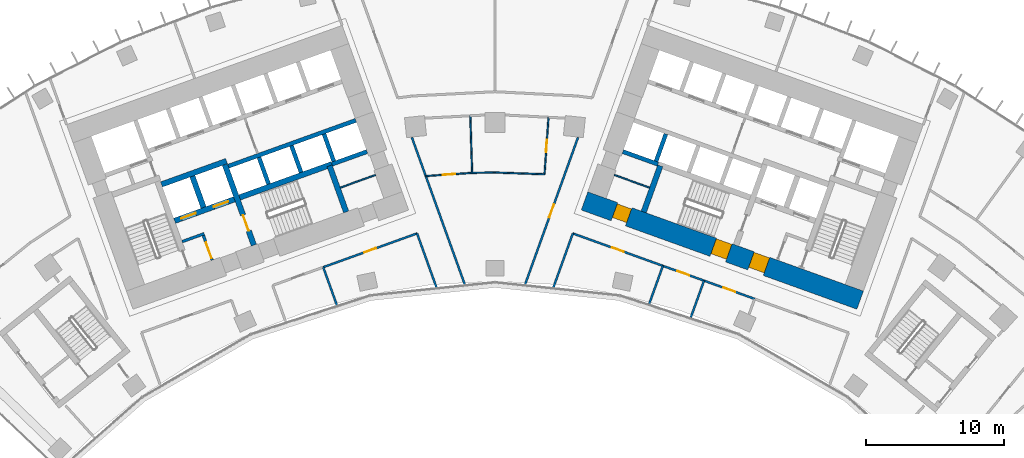
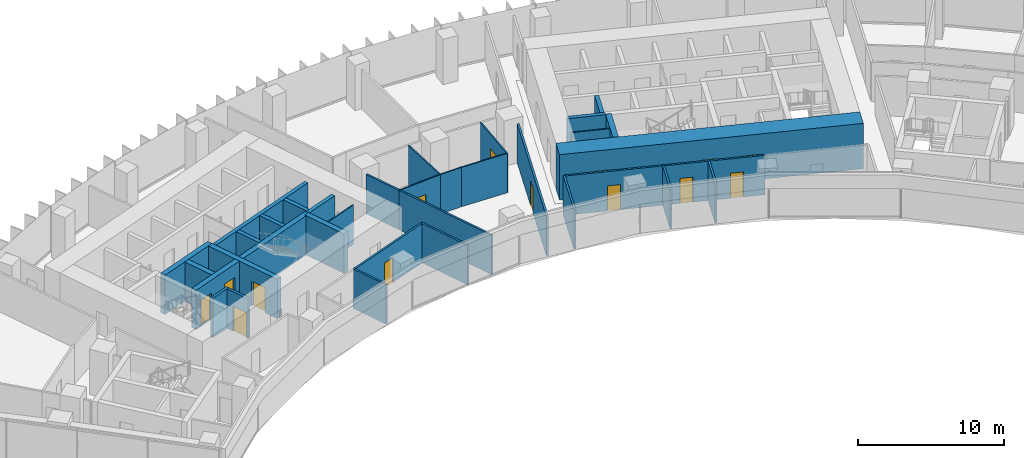
# One storey, part 16 of 22: 35 walls, 14 doors, 14 openings.
"""IFC4 building model written with IfcOpenShell, lengths in metres."""

from ifc_helpers import new_model, si_unit, direction, frame, frame_2d, origin, place, context, subcontext, project, spatial, rectangle, extrude, material, layer, layer_set, type_object, element, fill, save


model = new_model("IFC4")

# Units and contexts
model_context = context("Model", 3, precision=1e-05, world=origin(), true_north=direction((0.0, 1.0)))
body_context = subcontext(model_context, "Body", "Model", "MODEL_VIEW")
ifc_project = project(units=[si_unit("LENGTHUNIT", "METRE"), si_unit("AREAUNIT", "SQUARE_METRE"), si_unit("VOLUMEUNIT", "CUBIC_METRE"), si_unit("PLANEANGLEUNIT", "RADIAN"), si_unit("MASSUNIT", "GRAM", prefix="KILO")], contexts=[model_context])

# Site, building, storey
site_placement = place(None, origin())
site = spatial("IfcSite", under=ifc_project, at=site_placement, CompositionType="ELEMENT")
building_placement = place(site_placement, origin())
building = spatial("IfcBuilding", under=site, at=building_placement, Name="Stone Belt Terrace Tower", CompositionType="ELEMENT")
storey_placement = place(building_placement, frame((0.0, 0.0, 132.60009765625)))
storey = spatial("IfcBuildingStorey", under=building, at=storey_placement, Name="L32", CompositionType="ELEMENT", Elevation=132.60009765625)

# Walls
ifc_material_1 = material(Name="Plasterboard partition")
ifc_layer_1 = layer(ifc_material_1, 0.10009765625)
ifc_layer_set_1 = layer_set([ifc_layer_1], Name="Core partition 100")
wall_type_1 = type_object("IfcWallType", Name="Core partition 100", PredefinedType="PARTITIONING", material=ifc_layer_set_1)
for number, where, z_axis, x_axis, name in (
    (1, (-11.187744140625, 50.2822265625, 0.0), (0.0, 0.0, 1.0), (0.940949642365, 0.338546555931, 0.0), "Core A wall"),
    (2, (11.187744140625, 50.2822265625, 0.0), (0.0, 0.0, 1.0), (-0.940949642365, 0.338546555931, 0.0), "Core B wall"),
):
    element("IfcWall", number, at=place(storey_placement, frame(where, z_axis=z_axis, x_axis=x_axis)), inside=storey, type_object=wall_type_1, Name=name, PredefinedType="PARTITIONING", context=body_context, shape_type="SweptSolid", body=[
        extrude(rectangle(XDim=2.699951171875, YDim=0.10009765625, at=frame_2d((1.35009765625, 0.0))), origin(), (0.0, 0.0, 1.0), 3.2998046875),
    ])

# Wall, openings, doors
ifc_material_2 = material(Name="Concrete B80", Category="concrete")
ifc_layer_2 = layer(ifc_material_2, 1.39990234375)
ifc_layer_set_2 = layer_set([ifc_layer_2], Name="Core wall 1400 B80")
wall_type_2 = type_object("IfcWallType", Name="Core wall 1400 B80", PredefinedType="SHEAR", material=ifc_layer_set_2)
wall_1_placement = place(storey_placement, frame((6.4833984375, 49.318115234375, 0.0), z_axis=(0.0, 0.0, 1.0), x_axis=(0.940923374003, -0.33861955681, 0.0)))
wall_1 = element("IfcWall", 3, at=wall_1_placement, inside=storey, type_object=wall_type_2, Name="Core B wall concave L32", PredefinedType="SHEAR", context=body_context, shape_type="SweptSolid", body=[
    extrude(rectangle(XDim=21.199951171875, YDim=1.39990234375, at=frame_2d((10.60009765625, 0.0))), origin(), (0.0, 0.0, 1.0), 3.7998046875),
])
opening_1_placement = place(wall_1_placement, frame((12.800048828125, 0.0, 0.0)))
opening_1 = element("IfcOpeningElement", 4, at=opening_1_placement, cuts=wall_1, Name="Opening L32-C18", PredefinedType="OPENING", context=body_context, shape_type="SweptSolid", body=[
    extrude(rectangle(XDim=1.199951171875, YDim=2.10009765625, at=frame_2d((0.60009765625, 1.050048828125))), frame((0.0, 0.7099609375, 0.0), z_axis=(0.0, -1.0, 0.0), x_axis=(1.0, 0.0, 0.0)), (0.0, 0.0, 1.0), 1.419921875),
])
opening_2_placement = place(wall_1_placement, frame((9.89990234375, 0.0, 0.0)))
opening_2 = element("IfcOpeningElement", 5, at=opening_2_placement, cuts=wall_1, Name="Opening L32-C20", PredefinedType="OPENING", context=body_context, shape_type="SweptSolid", body=[
    extrude(rectangle(XDim=1.199951171875, YDim=2.10009765625, at=frame_2d((0.60009765625, 1.050048828125))), frame((0.0, 0.7099609375, 0.0), z_axis=(0.0, -1.0, 0.0), x_axis=(1.0, 0.0, 0.0)), (0.0, 0.0, 1.0), 1.419921875),
])
opening_3_placement = place(wall_1_placement, frame((2.300048828125, 0.0, 0.0)))
opening_3 = element("IfcOpeningElement", 6, at=opening_3_placement, cuts=wall_1, Name="Opening L32-C22", PredefinedType="OPENING", context=body_context, shape_type="SweptSolid", body=[
    extrude(rectangle(XDim=1.10009765625, YDim=2.10009765625, at=frame_2d((0.550048828125, 1.050048828125))), frame((0.0, 0.7099609375, 0.0), z_axis=(0.0, -1.0, 0.0), x_axis=(1.0, 0.0, 0.0)), (0.0, 0.0, 1.0), 1.419921875),
])
ifc_material_3 = material(Name="Timber door leaf", Category="wood")
door_type_1 = type_object("IfcDoorType", Name="Core room door 1100", OperationType="SINGLE_SWING_LEFT", PredefinedType="DOOR", material=ifc_material_3)
door_1_placement = place(opening_3_placement, origin())
door_1 = element("IfcDoor", 7, at=door_1_placement, inside=storey, type_object=door_type_1, Name="Door to Cleaner's store core B", OperationType="SINGLE_SWING_LEFT", OverallHeight=2.10009765625, OverallWidth=1.10009765625, PredefinedType="DOOR", context=body_context, shape_type="SweptSolid", body=[
    extrude(rectangle(XDim=1.10009765625, YDim=2.10009765625, at=frame_2d((0.550048828125, 1.050048828125))), frame((0.0, 0.60498046875, 0.0), z_axis=(0.0, -1.0, 0.0), x_axis=(1.0, 0.0, 0.0)), (0.0, 0.0, 1.0), 1.050048828125),
])
fill(opening_3, door_1)
ifc_material_4 = material(Name="Steel door leaf", Category="steel")
door_type_2 = type_object("IfcDoorType", Name="Fire-fighting lobby door 1200", OperationType="SINGLE_SWING_LEFT", PredefinedType="DOOR", material=ifc_material_4)
door_2_placement = place(opening_1_placement, origin())
door_2 = element("IfcDoor", 8, at=door_2_placement, inside=storey, type_object=door_type_2, Name="Fire-fighting lobby door core B", OperationType="SINGLE_SWING_LEFT", OverallHeight=2.10009765625, OverallWidth=1.199951171875, PredefinedType="DOOR", context=body_context, shape_type="SweptSolid", body=[
    extrude(rectangle(XDim=1.199951171875, YDim=2.10009765625, at=frame_2d((0.60009765625, 1.050048828125))), frame((0.0, 0.655029296875, 0.0), z_axis=(0.0, -1.0, 0.0), x_axis=(1.0, 0.0, 0.0)), (0.0, 0.0, 1.0), 1.14990234375),
])
fill(opening_1, door_2)
door_type_3 = type_object("IfcDoorType", Name="Stair door 1200", OperationType="SINGLE_SWING_LEFT", PredefinedType="DOOR", material=ifc_material_4)
door_3_placement = place(opening_2_placement, origin())
door_3 = element("IfcDoor", 9, at=door_3_placement, inside=storey, type_object=door_type_3, Name="Stair 2 exit door core B", OperationType="SINGLE_SWING_RIGHT", OverallHeight=2.10009765625, OverallWidth=1.199951171875, PredefinedType="DOOR", context=body_context, shape_type="SweptSolid", body=[
    extrude(rectangle(XDim=1.199951171875, YDim=2.10009765625, at=frame_2d((0.60009765625, 1.050048828125))), frame((0.0, 0.655029296875, 0.0), z_axis=(0.0, -1.0, 0.0), x_axis=(1.0, 0.0, 0.0)), (0.0, 0.0, 1.0), 1.14990234375),
])
fill(opening_2, door_3)

# Walls
ifc_layer_3 = layer(ifc_material_2, 0.39990234375)
ifc_layer_set_3 = layer_set([ifc_layer_3], Name="Fire-fighting lift shaft wall 400")
wall_type_3 = type_object("IfcWallType", Name="Fire-fighting lift shaft wall 400", PredefinedType="SHEAR", material=ifc_layer_set_3)
wall_2_placement = place(storey_placement, frame((-24.130615234375, 50.512939453125, 0.0), z_axis=(0.0, 0.0, 1.0), x_axis=(0.94091168377, 0.338652038744, 0.0)))
element("IfcWall", 10, at=wall_2_placement, inside=storey, type_object=wall_type_3, Name="Core A wall", PredefinedType="SHEAR", context=body_context, shape_type="SweptSolid", body=[
    extrude(rectangle(XDim=5.000244140625, YDim=0.39990234375, at=frame_2d((2.5, 0.0))), origin(), (0.0, 0.0, 1.0), 3.2998046875),
])
wall_3_placement = place(storey_placement, frame((-21.0859375, 48.845458984375, 0.0), z_axis=(0.0, 0.0, 1.0), x_axis=(-0.338629416206, 0.940919825745, 0.0)))
element("IfcWall", 11, at=wall_3_placement, inside=storey, type_object=wall_type_3, Name="Core A wall", PredefinedType="SHEAR", context=body_context, shape_type="SweptSolid", body=[
    extrude(rectangle(XDim=2.400146484375, YDim=0.39990234375, at=frame_2d((1.2001953125, 0.0))), origin(), (0.0, 0.0, 1.0), 3.2998046875),
])
ifc_layer_4 = layer(ifc_material_2, 0.300048828125)
ifc_layer_set_4 = layer_set([ifc_layer_4], Name="Lift shaft wall 300")
wall_type_4 = type_object("IfcWallType", Name="Lift shaft wall 300", PredefinedType="SHEAR", material=ifc_layer_set_4)
wall_4_placement = place(storey_placement, frame((-19.29052734375, 51.829833984375, 0.0), z_axis=(0.0, 0.0, 1.0), x_axis=(0.940925833398, 0.338612722803, 0.0)))
element("IfcWall", 12, at=wall_4_placement, inside=storey, type_object=wall_type_4, Name="Core A wall", PredefinedType="SHEAR", context=body_context, shape_type="SweptSolid", body=[
    extrude(rectangle(XDim=9.7998046875, YDim=0.300048828125, at=frame_2d((4.89990234375, 0.0))), origin(), (0.0, 0.0, 1.0), 3.2998046875),
])
for number, where, z_axis, x_axis, name in (
    (13, (-16.38134765625, 50.53857421875, 0.0), (0.0, 0.0, 1.0), (-0.338681515556, 0.940901073982, 0.0), "Core A wall"),
    (14, (-14.029052734375, 51.38525390625, 0.0), (0.0, 0.0, 1.0), (-0.338681515556, 0.940901073982, 0.0), "Core A wall"),
):
    element("IfcWall", number, at=place(storey_placement, frame(where, z_axis=z_axis, x_axis=x_axis)), inside=storey, type_object=wall_type_4, Name=name, PredefinedType="SHEAR", context=body_context, shape_type="SweptSolid", body=[
        extrude(rectangle(XDim=2.050048828125, YDim=0.300048828125, at=frame_2d((1.02490234375, 0.0))), origin(), (0.0, 0.0, 1.0), 3.2998046875),
    ])
wall_5_placement = place(storey_placement, frame((-11.797119140625, 51.975830078125, 0.0), z_axis=(0.0, 0.0, 1.0), x_axis=(0.940910465161, 0.33865542451, 0.0)))
element("IfcWall", 15, at=wall_5_placement, inside=storey, type_object=wall_type_4, Name="Core A wall", PredefinedType="SHEAR", context=body_context, shape_type="SweptSolid", body=[
    extrude(rectangle(XDim=2.69970703125, YDim=0.300048828125, at=frame_2d((1.349853515625, 0.0))), origin(), (0.0, 0.0, 1.0), 3.2998046875),
])
wall_6_placement = place(storey_placement, frame((-11.659912109375, 52.184814453125, 0.0), z_axis=(0.0, 0.0, 1.0), x_axis=(-0.338670064856, 0.940905195634, 0.0)))
element("IfcWall", 16, at=wall_6_placement, inside=storey, type_object=wall_type_4, Name="Core A wall", PredefinedType="SHEAR", context=body_context, shape_type="SweptSolid", body=[
    extrude(rectangle(XDim=2.099853515625, YDim=0.300048828125, at=frame_2d((1.0498046875, 0.0))), origin(), (0.0, 0.0, 1.0), 3.2998046875),
])
wall_7_placement = place(storey_placement, frame((11.797119140625, 51.975830078125, 0.0), z_axis=(0.0, 0.0, 1.0), x_axis=(-0.940910465161, 0.33865542451, 0.0)))
element("IfcWall", 17, at=wall_7_placement, inside=storey, type_object=wall_type_4, Name="Core B wall", PredefinedType="SHEAR", context=body_context, shape_type="SweptSolid", body=[
    extrude(rectangle(XDim=2.69970703125, YDim=0.300048828125, at=frame_2d((1.349853515625, 0.0))), origin(), (0.0, 0.0, 1.0), 3.2998046875),
])
wall_8_placement = place(storey_placement, frame((11.659912109375, 52.184814453125, 0.0), z_axis=(0.0, 0.0, 1.0), x_axis=(0.338670064856, 0.940905195634, 0.0)))
element("IfcWall", 18, at=wall_8_placement, inside=storey, type_object=wall_type_4, Name="Core B wall", PredefinedType="SHEAR", context=body_context, shape_type="SweptSolid", body=[
    extrude(rectangle(XDim=2.099853515625, YDim=0.300048828125, at=frame_2d((1.0498046875, 0.0))), origin(), (0.0, 0.0, 1.0), 3.2998046875),
])

# Wall, opening, door
ifc_material_5 = material(Name="Gypsum board partition")
ifc_layer_5 = layer(ifc_material_5, 0.10009765625)
ifc_layer_set_5 = layer_set([ifc_layer_5], Name="PARTITION 100")
wall_type_5 = type_object("IfcWallType", Name="PARTITION 100", PredefinedType="PARTITIONING", material=ifc_layer_set_5)
wall_9_placement = place(storey_placement, frame((-5.007080078125, 51.118896484375, 0.0), z_axis=(0.0, 0.0, 1.0), x_axis=(0.99765687033, 0.068416146369, 0.0)))
wall_9 = element("IfcWall", 19, at=wall_9_placement, inside=storey, type_object=wall_type_5, Name="L32/wall/i085", PredefinedType="PARTITIONING", context=body_context, shape_type="SweptSolid", body=[
    extrude(rectangle(XDim=3.364990234375, YDim=0.10009765625, at=frame_2d((1.6826171875, 0.0))), origin(), (0.0, 0.0, 1.0), 3.2998046875),
])
opening_4_placement = place(wall_9_placement, frame((1.232421875, 0.0, 0.0)))
opening_4 = element("IfcOpeningElement", 20, at=opening_4_placement, cuts=wall_9, Name="Opening D-B5-27", PredefinedType="OPENING", context=body_context, shape_type="SweptSolid", body=[
    extrude(rectangle(XDim=0.89990234375, YDim=2.10009765625, at=frame_2d((0.449951171875, 1.050048828125))), frame((0.0, 0.06005859375, 0.0), z_axis=(0.0, -1.0, 0.0), x_axis=(1.0, 0.0, 0.0)), (0.0, 0.0, 1.0), 0.1201171875),
])
door_type_4 = type_object("IfcDoorType", Name="OFFICE DOOR 900 X 2100", OperationType="NOTDEFINED", PredefinedType="DOOR", material=ifc_material_3)
door_4_placement = place(opening_4_placement, origin())
door_4 = element("IfcDoor", 21, at=door_4_placement, inside=storey, type_object=door_type_4, Name="L32/door/i27", OperationType="SINGLE_SWING_RIGHT", OverallHeight=2.10009765625, OverallWidth=0.89990234375, PredefinedType="DOOR", context=body_context, shape_type="SweptSolid", body=[
    extrude(rectangle(XDim=0.89990234375, YDim=2.10009765625, at=frame_2d((0.449951171875, 1.050048828125))), frame((0.0, 0.02490234375, 0.0), z_axis=(0.0, -1.0, 0.0), x_axis=(1.0, 0.0, 0.0)), (0.0, 0.0, 1.0), 0.050048828125),
])
fill(opening_4, door_4)

# Walls
wall_10_placement = place(storey_placement, frame((-1.64990234375, 51.34912109375, 0.0), z_axis=(0.0, 0.0, 1.0), x_axis=(0.999877011293, 0.015683184847, 0.0)))
element("IfcWall", 22, at=wall_10_placement, inside=storey, type_object=wall_type_5, Name="L32/wall/i086", PredefinedType="PARTITIONING", context=body_context, shape_type="SweptSolid", body=[
    extrude(rectangle(XDim=1.650146484375, YDim=0.10009765625, at=frame_2d((0.8251953125, 0.0))), origin(), (0.0, 0.0, 1.0), 3.2998046875),
])
wall_11_placement = place(storey_placement, frame((0.0, 51.375, 0.0), z_axis=(0.0, 0.0, 1.0), x_axis=(0.999384575764, -0.035078051908, 0.0)))
element("IfcWall", 23, at=wall_11_placement, inside=storey, type_object=wall_type_5, Name="L32/wall/i087", PredefinedType="PARTITIONING", context=body_context, shape_type="SweptSolid", body=[
    extrude(rectangle(XDim=3.59130859375, YDim=0.10009765625, at=frame_2d((1.795654296875, 0.0))), origin(), (0.0, 0.0, 1.0), 3.2998046875),
])

# Wall, opening, door
wall_12_placement = place(storey_placement, frame((3.589111328125, 51.2490234375, 0.0), z_axis=(0.0, 0.0, 1.0), x_axis=(0.069878503545, 0.997555509605, 0.0)))
wall_12 = element("IfcWall", 24, at=wall_12_placement, inside=storey, type_object=wall_type_5, Name="L32/wall/i088", PredefinedType="PARTITIONING", context=body_context, shape_type="SweptSolid", body=[
    extrude(rectangle(XDim=4.133056640625, YDim=0.10009765625, at=frame_2d((2.06640625, 0.0))), origin(), (0.0, 0.0, 1.0), 3.2998046875),
])
opening_5_placement = place(wall_12_placement, frame((1.616455078125, 0.0, 0.0)))
opening_5 = element("IfcOpeningElement", 25, at=opening_5_placement, cuts=wall_12, Name="Opening D-B5-28", PredefinedType="OPENING", context=body_context, shape_type="SweptSolid", body=[
    extrude(rectangle(XDim=0.89990234375, YDim=2.10009765625, at=frame_2d((0.449951171875, 1.050048828125))), frame((0.0, 0.06005859375, 0.0), z_axis=(0.0, -1.0, 0.0), x_axis=(1.0, 0.0, 0.0)), (0.0, 0.0, 1.0), 0.1201171875),
])
door_5_placement = place(opening_5_placement, origin())
door_5 = element("IfcDoor", 26, at=door_5_placement, inside=storey, type_object=door_type_4, Name="L32/door/i28", OperationType="SINGLE_SWING_RIGHT", OverallHeight=2.10009765625, OverallWidth=0.89990234375, PredefinedType="DOOR", context=body_context, shape_type="SweptSolid", body=[
    extrude(rectangle(XDim=0.89990234375, YDim=2.10009765625, at=frame_2d((0.449951171875, 1.050048828125))), frame((0.0, 0.02490234375, 0.0), z_axis=(0.0, -1.0, 0.0), x_axis=(1.0, 0.0, 0.0)), (0.0, 0.0, 1.0), 0.050048828125),
])
fill(opening_5, door_5)

# Walls
wall_13_placement = place(storey_placement, frame((-1.782958984375, 55.48193359375, 0.0), z_axis=(0.0, 0.0, 1.0), x_axis=(0.032178506916, -0.999482137756, 0.0)))
element("IfcWall", 27, at=wall_13_placement, inside=storey, type_object=wall_type_5, Name="L32/wall/i089", PredefinedType="PARTITIONING", context=body_context, shape_type="SweptSolid", body=[
    extrude(rectangle(XDim=4.135009765625, YDim=0.10009765625, at=frame_2d((2.0673828125, 0.0))), origin(), (0.0, 0.0, 1.0), 3.2998046875),
])
ifc_layer_6 = layer(ifc_material_5, 0.14990234375)
ifc_layer_set_6 = layer_set([ifc_layer_6], Name="PARTITION 150 EI 60")
wall_type_6 = type_object("IfcWallType", Name="PARTITION 150 EI 60", PredefinedType="PARTITIONING", material=ifc_layer_set_6)
wall_14_placement = place(storey_placement, frame((-4.230224609375, 43.055419921875, 0.0), z_axis=(0.0, 0.0, 1.0), x_axis=(-0.33845358521, 0.940983087339, 0.0)))
element("IfcWall", 28, at=wall_14_placement, inside=storey, type_object=wall_type_6, Name="L32/wall/i006", PredefinedType="PARTITIONING", context=body_context, shape_type="SweptSolid", body=[
    extrude(rectangle(XDim=4.162109375, YDim=0.14990234375, at=frame_2d((2.0810546875, 0.0))), origin(), (0.0, 0.0, 1.0), 3.2998046875),
])
wall_15_placement = place(storey_placement, frame((-5.008056640625, 51.125, 0.0), z_axis=(0.0, 0.0, 1.0), x_axis=(0.338575502556, -0.940939227086, 0.0)))
element("IfcWall", 29, at=wall_15_placement, inside=storey, type_object=wall_type_6, Name="L32/wall/i008", PredefinedType="PARTITIONING", context=body_context, shape_type="SweptSolid", body=[
    extrude(rectangle(XDim=8.34716796875, YDim=0.14990234375, at=frame_2d((4.173583984375, 0.0))), origin(), (0.0, 0.0, 1.0), 3.2998046875),
])
wall_16_placement = place(storey_placement, frame((-6.01171875, 53.911865234375, 0.0), z_axis=(0.0, 0.0, 1.0), x_axis=(0.338789216094, -0.940862299733, 0.0)))
element("IfcWall", 30, at=wall_16_placement, inside=storey, type_object=wall_type_6, Name="L32/wall/i009", PredefinedType="PARTITIONING", context=body_context, shape_type="SweptSolid", body=[
    extrude(rectangle(XDim=2.974853515625, YDim=0.14990234375, at=frame_2d((1.4873046875, 0.0))), origin(), (0.0, 0.0, 1.0), 3.2998046875),
])

# Wall, opening, door
wall_17_placement = place(storey_placement, frame((-5.637939453125, 46.966064453125, 0.0), z_axis=(0.0, 0.0, 1.0), x_axis=(-0.940896892246, -0.338693132735, 0.0)))
wall_17 = element("IfcWall", 31, at=wall_17_placement, inside=storey, type_object=wall_type_6, Name="L32/wall/i015", PredefinedType="PARTITIONING", context=body_context, shape_type="SweptSolid", body=[
    extrude(rectangle(XDim=7.221923828125, YDim=0.14990234375, at=frame_2d((3.61083984375, 0.0))), origin(), (0.0, 0.0, 1.0), 3.2998046875),
])
opening_6_placement = place(wall_17_placement, frame((3.160888671875, 0.0, 0.0)))
opening_6 = element("IfcOpeningElement", 32, at=opening_6_placement, cuts=wall_17, Name="Opening D-B5-03", PredefinedType="OPENING", context=body_context, shape_type="SweptSolid", body=[
    extrude(rectangle(XDim=0.89990234375, YDim=2.10009765625, at=frame_2d((0.449951171875, 1.050048828125))), frame((0.0, 0.0849609375, 0.0), z_axis=(0.0, -1.0, 0.0), x_axis=(1.0, 0.0, 0.0)), (0.0, 0.0, 1.0), 0.169921875),
])
door_6_placement = place(opening_6_placement, origin())
door_6 = element("IfcDoor", 33, at=door_6_placement, inside=storey, type_object=door_type_4, Name="L32/door/i03", OperationType="SINGLE_SWING_RIGHT", OverallHeight=2.10009765625, OverallWidth=0.89990234375, PredefinedType="DOOR", context=body_context, shape_type="SweptSolid", body=[
    extrude(rectangle(XDim=0.89990234375, YDim=2.10009765625, at=frame_2d((0.449951171875, 1.050048828125))), frame((0.0, 0.02490234375, 0.0), z_axis=(0.0, -1.0, 0.0), x_axis=(1.0, 0.0, 0.0)), (0.0, 0.0, 1.0), 0.050048828125),
])
fill(opening_6, door_6)

# Walls
wall_18_placement = place(storey_placement, frame((-12.427001953125, 44.52197265625, 0.0), z_axis=(0.0, 0.0, 1.0), x_axis=(0.338541993248, -0.940951283972, 0.0)))
element("IfcWall", 34, at=wall_18_placement, inside=storey, type_object=wall_type_6, Name="L32/wall/i016", PredefinedType="PARTITIONING", context=body_context, shape_type="SweptSolid", body=[
    extrude(rectangle(XDim=2.9228515625, YDim=0.14990234375, at=frame_2d((1.46142578125, 0.0))), origin(), (0.0, 0.0, 1.0), 3.2998046875),
])
wall_19_placement = place(storey_placement, frame((5.638916015625, 46.971923828125, 0.0), z_axis=(0.0, 0.0, 1.0), x_axis=(-0.33845358521, -0.940983087339, 0.0)))
element("IfcWall", 35, at=wall_19_placement, inside=storey, type_object=wall_type_6, Name="L32/wall/i018", PredefinedType="PARTITIONING", context=body_context, shape_type="SweptSolid", body=[
    extrude(rectangle(XDim=4.162109375, YDim=0.14990234375, at=frame_2d((2.0810546875, 0.0))), origin(), (0.0, 0.0, 1.0), 3.2998046875),
])

# Wall, opening, door
wall_20_placement = place(storey_placement, frame((2.181884765625, 43.270751953125, 0.0), z_axis=(0.0, 0.0, 1.0), x_axis=(0.33866290015, 0.940907774472, 0.0)))
wall_20 = element("IfcWall", 36, at=wall_20_placement, inside=storey, type_object=wall_type_6, Name="L32/wall/i020", PredefinedType="PARTITIONING", context=body_context, shape_type="SweptSolid", body=[
    extrude(rectangle(XDim=11.309326171875, YDim=0.14990234375, at=frame_2d((5.65478515625, 0.0))), origin(), (0.0, 0.0, 1.0), 3.2998046875),
])
opening_7_placement = place(wall_20_placement, frame((5.15478515625, 0.0, 0.0)))
opening_7 = element("IfcOpeningElement", 37, at=opening_7_placement, cuts=wall_20, Name="Opening D-B5-26", PredefinedType="OPENING", context=body_context, shape_type="SweptSolid", body=[
    extrude(rectangle(XDim=1.0, YDim=2.10009765625, at=frame_2d((0.5, 1.050048828125))), frame((0.0, 0.0849609375, 0.0), z_axis=(0.0, -1.0, 0.0), x_axis=(1.0, 0.0, 0.0)), (0.0, 0.0, 1.0), 0.169921875),
])
ifc_material_6 = material(Name="Timber fire door leaf", Category="wood")
door_type_5 = type_object("IfcDoorType", Name="TENANCY ENTRANCE DOOR 1000 X 2100", OperationType="NOTDEFINED", PredefinedType="DOOR", material=ifc_material_6)
door_7_placement = place(opening_7_placement, origin())
door_7 = element("IfcDoor", 38, at=door_7_placement, inside=storey, type_object=door_type_5, Name="L32/door/i26", OperationType="SINGLE_SWING_LEFT", OverallHeight=2.10009765625, OverallWidth=1.0, PredefinedType="DOOR", context=body_context, shape_type="SweptSolid", body=[
    extrude(rectangle(XDim=1.0, YDim=2.10009765625, at=frame_2d((0.5, 1.050048828125))), frame((0.0, 0.02490234375, 0.0), z_axis=(0.0, -1.0, 0.0), x_axis=(1.0, 0.0, 0.0)), (0.0, 0.0, 1.0), 0.050048828125),
])
fill(opening_7, door_7)

wall_21_placement = place(storey_placement, frame((12.159912109375, 44.618896484375, 0.0), z_axis=(0.0, 0.0, 1.0), x_axis=(-0.940937683525, 0.338579792253, 0.0)))
wall_21 = element("IfcWall", 39, at=wall_21_placement, inside=storey, type_object=wall_type_6, Name="L32/wall/i028", PredefinedType="PARTITIONING", context=body_context, shape_type="SweptSolid", body=[
    extrude(rectangle(XDim=6.932373046875, YDim=0.14990234375, at=frame_2d((3.46630859375, 0.0))), origin(), (0.0, 0.0, 1.0), 3.2998046875),
])
opening_8_placement = place(wall_21_placement, frame((3.01611328125, 0.0, 0.0)))
opening_8 = element("IfcOpeningElement", 40, at=opening_8_placement, cuts=wall_21, Name="Opening D-B5-06", PredefinedType="OPENING", context=body_context, shape_type="SweptSolid", body=[
    extrude(rectangle(XDim=0.89990234375, YDim=2.10009765625, at=frame_2d((0.449951171875, 1.050048828125))), frame((0.0, 0.0849609375, 0.0), z_axis=(0.0, -1.0, 0.0), x_axis=(1.0, 0.0, 0.0)), (0.0, 0.0, 1.0), 0.169921875),
])
door_8_placement = place(opening_8_placement, origin())
door_8 = element("IfcDoor", 41, at=door_8_placement, inside=storey, type_object=door_type_4, Name="L32/door/i06", OperationType="SINGLE_SWING_RIGHT", OverallHeight=2.10009765625, OverallWidth=0.89990234375, PredefinedType="DOOR", context=body_context, shape_type="SweptSolid", body=[
    extrude(rectangle(XDim=0.89990234375, YDim=2.10009765625, at=frame_2d((0.449951171875, 1.050048828125))), frame((0.0, 0.02490234375, 0.0), z_axis=(0.0, -1.0, 0.0), x_axis=(1.0, 0.0, 0.0)), (0.0, 0.0, 1.0), 0.050048828125),
])
fill(opening_8, door_8)

wall_22_placement = place(storey_placement, frame((15.137939453125, 43.547119140625, 0.0), z_axis=(0.0, 0.0, 1.0), x_axis=(-0.941032294425, 0.338316746334, 0.0)))
wall_22 = element("IfcWall", 42, at=wall_22_placement, inside=storey, type_object=wall_type_6, Name="L32/wall/i029", PredefinedType="PARTITIONING", context=body_context, shape_type="SweptSolid", body=[
    extrude(rectangle(XDim=3.17724609375, YDim=0.14990234375, at=frame_2d((1.588623046875, 0.0))), origin(), (0.0, 0.0, 1.0), 3.2998046875),
])
opening_9_placement = place(wall_22_placement, frame((1.138671875, 0.0, 0.0)))
opening_9 = element("IfcOpeningElement", 43, at=opening_9_placement, cuts=wall_22, Name="Opening D-B5-07", PredefinedType="OPENING", context=body_context, shape_type="SweptSolid", body=[
    extrude(rectangle(XDim=0.89990234375, YDim=2.10009765625, at=frame_2d((0.449951171875, 1.050048828125))), frame((0.0, 0.0849609375, 0.0), z_axis=(0.0, -1.0, 0.0), x_axis=(1.0, 0.0, 0.0)), (0.0, 0.0, 1.0), 0.169921875),
])
door_9_placement = place(opening_9_placement, origin())
door_9 = element("IfcDoor", 44, at=door_9_placement, inside=storey, type_object=door_type_4, Name="L32/door/i07", OperationType="SINGLE_SWING_RIGHT", OverallHeight=2.10009765625, OverallWidth=0.89990234375, PredefinedType="DOOR", context=body_context, shape_type="SweptSolid", body=[
    extrude(rectangle(XDim=0.89990234375, YDim=2.10009765625, at=frame_2d((0.449951171875, 1.050048828125))), frame((0.0, 0.02490234375, 0.0), z_axis=(0.0, -1.0, 0.0), x_axis=(1.0, 0.0, 0.0)), (0.0, 0.0, 1.0), 0.050048828125),
])
fill(opening_9, door_9)

wall_23_placement = place(storey_placement, frame((18.800048828125, 42.22900390625, 0.0), z_axis=(0.0, 0.0, 1.0), x_axis=(-0.940911327011, 0.338653029961, 0.0)))
wall_23 = element("IfcWall", 45, at=wall_23_placement, inside=storey, type_object=wall_type_6, Name="L32/wall/i030", PredefinedType="PARTITIONING", context=body_context, shape_type="SweptSolid", body=[
    extrude(rectangle(XDim=3.90380859375, YDim=0.14990234375, at=frame_2d((1.951904296875, 0.0))), origin(), (0.0, 0.0, 1.0), 3.2998046875),
])
opening_10_placement = place(wall_23_placement, frame((1.501953125, 0.0, 0.0)))
opening_10 = element("IfcOpeningElement", 46, at=opening_10_placement, cuts=wall_23, Name="Opening D-B5-08", PredefinedType="OPENING", context=body_context, shape_type="SweptSolid", body=[
    extrude(rectangle(XDim=0.89990234375, YDim=2.10009765625, at=frame_2d((0.449951171875, 1.050048828125))), frame((0.0, 0.0849609375, 0.0), z_axis=(0.0, -1.0, 0.0), x_axis=(1.0, 0.0, 0.0)), (0.0, 0.0, 1.0), 0.169921875),
])
door_10_placement = place(opening_10_placement, origin())
door_10 = element("IfcDoor", 47, at=door_10_placement, inside=storey, type_object=door_type_4, Name="L32/door/i08", OperationType="SINGLE_SWING_RIGHT", OverallHeight=2.10009765625, OverallWidth=0.89990234375, PredefinedType="DOOR", context=body_context, shape_type="SweptSolid", body=[
    extrude(rectangle(XDim=0.89990234375, YDim=2.10009765625, at=frame_2d((0.449951171875, 1.050048828125))), frame((0.0, 0.02490234375, 0.0), z_axis=(0.0, -1.0, 0.0), x_axis=(1.0, 0.0, 0.0)), (0.0, 0.0, 1.0), 0.050048828125),
])
fill(opening_10, door_10)

# Walls
wall_24_placement = place(storey_placement, frame((12.154052734375, 44.6201171875, 0.0), z_axis=(0.0, 0.0, 1.0), x_axis=(-0.338598562526, -0.940930929163, 0.0)))
element("IfcWall", 48, at=wall_24_placement, inside=storey, type_object=wall_type_6, Name="L32/wall/i032", PredefinedType="PARTITIONING", context=body_context, shape_type="SweptSolid", body=[
    extrude(rectangle(XDim=2.931640625, YDim=0.14990234375, at=frame_2d((1.4658203125, 0.0))), origin(), (0.0, 0.0, 1.0), 3.2998046875),
])
wall_25_placement = place(storey_placement, frame((15.132080078125, 43.548095703125, 0.0), z_axis=(0.0, 0.0, 1.0), x_axis=(-0.338737781131, -0.940880819039, 0.0)))
element("IfcWall", 49, at=wall_25_placement, inside=storey, type_object=wall_type_6, Name="L32/wall/i033", PredefinedType="PARTITIONING", context=body_context, shape_type="SweptSolid", body=[
    extrude(rectangle(XDim=2.83251953125, YDim=0.14990234375, at=frame_2d((1.416259765625, 0.0))), origin(), (0.0, 0.0, 1.0), 3.2998046875),
])
ifc_material_7 = material(Name="Concrete masonry block", Category="masonry")
ifc_layer_7 = layer(ifc_material_7, 0.199951171875)
ifc_layer_set_7 = layer_set([ifc_layer_7], Name="Rated lobby wall 200")
wall_type_7 = type_object("IfcWallType", Name="Rated lobby wall 200", PredefinedType="PARTITIONING", material=ifc_layer_set_7)
wall_26_placement = place(storey_placement, frame((-22.640625, 46.373046875, 0.0), z_axis=(0.0, 0.0, 1.0), x_axis=(0.940966110313, 0.338500781747, 0.0)))
element("IfcWall", 50, at=wall_26_placement, inside=storey, type_object=wall_type_7, Name="Core A wall", PredefinedType="PARTITIONING", context=body_context, shape_type="SweptSolid", body=[
    extrude(rectangle(XDim=1.699951171875, YDim=0.199951171875, at=frame_2d((0.85009765625, 0.0))), origin(), (0.0, 0.0, 1.0), 3.2998046875),
])

# Wall, opening, door
wall_27_placement = place(storey_placement, frame((-20.4580078125, 45.032958984375, 0.0), z_axis=(0.0, 0.0, 1.0), x_axis=(-0.338573865316, 0.940939816208, 0.0)))
wall_27 = element("IfcWall", 51, at=wall_27_placement, inside=storey, type_object=wall_type_7, Name="Core A wall", PredefinedType="PARTITIONING", context=body_context, shape_type="SweptSolid", body=[
    extrude(rectangle(XDim=1.900146484375, YDim=0.199951171875, at=frame_2d((0.9501953125, 0.0))), origin(), (0.0, 0.0, 1.0), 3.2998046875),
])
opening_11_placement = place(wall_27_placement, frame((0.14990234375, 0.0, 0.0)))
opening_11 = element("IfcOpeningElement", 52, at=opening_11_placement, cuts=wall_27, Name="Opening L32-C06", PredefinedType="OPENING", context=body_context, shape_type="SweptSolid", body=[
    extrude(rectangle(XDim=1.199951171875, YDim=2.10009765625, at=frame_2d((0.60009765625, 1.050048828125))), frame((0.0, 0.10986328125, 0.0), z_axis=(0.0, -1.0, 0.0), x_axis=(1.0, 0.0, 0.0)), (0.0, 0.0, 1.0), 0.219970703125),
])
door_11_placement = place(opening_11_placement, origin())
door_11 = element("IfcDoor", 53, at=door_11_placement, inside=storey, type_object=door_type_3, Name="Stair airlock door core A", OperationType="SINGLE_SWING_RIGHT", OverallHeight=2.10009765625, OverallWidth=1.199951171875, PredefinedType="DOOR", context=body_context, shape_type="SweptSolid", body=[
    extrude(rectangle(XDim=1.199951171875, YDim=2.10009765625, at=frame_2d((0.60009765625, 1.050048828125))), frame((0.0, 0.02490234375, 0.0), z_axis=(0.0, -1.0, 0.0), x_axis=(1.0, 0.0, 0.0)), (0.0, 0.0, 1.0), 0.050048828125),
])
fill(opening_11, door_11)

# Wall, openings, doors
ifc_layer_8 = layer(ifc_material_2, 0.39990234375)
ifc_layer_set_8 = layer_set([ifc_layer_8], Name="Stair enclosure wall 400")
wall_type_8 = type_object("IfcWallType", Name="Stair enclosure wall 400", PredefinedType="SHEAR", material=ifc_layer_set_8)
wall_28_placement = place(storey_placement, frame((-23.182373046875, 47.87841796875, 0.0), z_axis=(0.0, 0.0, 1.0), x_axis=(0.940921101762, 0.338625870628, 0.0)))
wall_28 = element("IfcWall", 54, at=wall_28_placement, inside=storey, type_object=wall_type_8, Name="Core A wall", PredefinedType="SHEAR", context=body_context, shape_type="SweptSolid", body=[
    extrude(rectangle(XDim=12.10009765625, YDim=0.39990234375, at=frame_2d((6.050048828125, 0.0))), origin(), (0.0, 0.0, 1.0), 3.2998046875),
])
opening_12_placement = place(wall_28_placement, frame((0.52001953125, 0.0, 0.0)))
opening_12 = element("IfcOpeningElement", 55, at=opening_12_placement, cuts=wall_28, Name="Opening L32-LD07", PredefinedType="OPENING", context=body_context, shape_type="SweptSolid", body=[
    extrude(rectangle(XDim=1.10009765625, YDim=2.199951171875, at=frame_2d((0.550048828125, 1.10009765625))), frame((0.0, 0.2099609375, 0.0), z_axis=(0.0, -1.0, 0.0), x_axis=(1.0, 0.0, 0.0)), (0.0, 0.0, 1.0), 0.419921875),
])
opening_13_placement = place(wall_28_placement, frame((3.02001953125, 0.0, 0.0)))
opening_13 = element("IfcOpeningElement", 56, at=opening_13_placement, cuts=wall_28, Name="Opening L32-LD08", PredefinedType="OPENING", context=body_context, shape_type="SweptSolid", body=[
    extrude(rectangle(XDim=1.10009765625, YDim=2.199951171875, at=frame_2d((0.550048828125, 1.10009765625))), frame((0.0, 0.2099609375, 0.0), z_axis=(0.0, -1.0, 0.0), x_axis=(1.0, 0.0, 0.0)), (0.0, 0.0, 1.0), 0.419921875),
])
ifc_material_8 = material(Name="Stainless steel door leaf", Category="steel")
door_type_6 = type_object("IfcDoorType", Name="Landing door 1100", OperationType="SLIDING_TO_LEFT", PredefinedType="DOOR", material=ifc_material_8)
door_12_placement = place(opening_12_placement, origin())
door_12 = element("IfcDoor", 57, at=door_12_placement, inside=storey, type_object=door_type_6, Name="Landing door FF1 core A", OperationType="SLIDING_TO_LEFT", OverallHeight=2.199951171875, OverallWidth=1.10009765625, PredefinedType="DOOR", context=body_context, shape_type="SweptSolid", body=[
    extrude(rectangle(XDim=1.10009765625, YDim=2.199951171875, at=frame_2d((0.550048828125, 1.10009765625))), frame((0.0, 0.02490234375, 0.0), z_axis=(0.0, -1.0, 0.0), x_axis=(1.0, 0.0, 0.0)), (0.0, 0.0, 1.0), 0.050048828125),
])
fill(opening_12, door_12)
door_13_placement = place(opening_13_placement, origin())
door_13 = element("IfcDoor", 58, at=door_13_placement, inside=storey, type_object=door_type_6, Name="Landing door FF2 core A", OperationType="SLIDING_TO_LEFT", OverallHeight=2.199951171875, OverallWidth=1.10009765625, PredefinedType="DOOR", context=body_context, shape_type="SweptSolid", body=[
    extrude(rectangle(XDim=1.10009765625, YDim=2.199951171875, at=frame_2d((0.550048828125, 1.10009765625))), frame((0.0, 0.02490234375, 0.0), z_axis=(0.0, -1.0, 0.0), x_axis=(1.0, 0.0, 0.0)), (0.0, 0.0, 1.0), 0.050048828125),
])
fill(opening_13, door_13)

# Wall, opening, door
wall_29_placement = place(storey_placement, frame((-17.447021484375, 46.116455078125, 0.0), z_axis=(0.0, 0.0, 1.0), x_axis=(-0.33860791464, 0.940927563707, 0.0)))
wall_29 = element("IfcWall", 59, at=wall_29_placement, inside=storey, type_object=wall_type_8, Name="Core A wall", PredefinedType="SHEAR", context=body_context, shape_type="SweptSolid", body=[
    extrude(rectangle(XDim=6.199951171875, YDim=0.39990234375, at=frame_2d((3.10009765625, 0.0))), origin(), (0.0, 0.0, 1.0), 3.2998046875),
])
opening_14_placement = place(wall_29_placement, frame((1.10009765625, 0.0, 0.0)))
opening_14 = element("IfcOpeningElement", 60, at=opening_14_placement, cuts=wall_29, Name="Opening L32-C08", PredefinedType="OPENING", context=body_context, shape_type="SweptSolid", body=[
    extrude(rectangle(XDim=1.199951171875, YDim=2.10009765625, at=frame_2d((0.60009765625, 1.050048828125))), frame((0.0, 0.2099609375, 0.0), z_axis=(0.0, -1.0, 0.0), x_axis=(1.0, 0.0, 0.0)), (0.0, 0.0, 1.0), 0.419921875),
])
door_14_placement = place(opening_14_placement, origin())
door_14 = element("IfcDoor", 61, at=door_14_placement, inside=storey, type_object=door_type_3, Name="Stair 2 door core A", OperationType="SINGLE_SWING_RIGHT", OverallHeight=2.10009765625, OverallWidth=1.199951171875, PredefinedType="DOOR", context=body_context, shape_type="SweptSolid", body=[
    extrude(rectangle(XDim=1.199951171875, YDim=2.10009765625, at=frame_2d((0.60009765625, 1.050048828125))), frame((0.0, 0.02490234375, 0.0), z_axis=(0.0, -1.0, 0.0), x_axis=(1.0, 0.0, 0.0)), (0.0, 0.0, 1.0), 0.050048828125),
])
fill(opening_14, door_14)

# Walls
for number, where, z_axis, x_axis, name in (
    (62, (-10.766357421875, 48.520751953125, 0.0), (0.0, 0.0, 1.0), (-0.338626928157, 0.94092072117, 0.0), "Core A wall"),
    (63, (10.766357421875, 48.520751953125, 0.0), (0.0, 0.0, 1.0), (0.338626928157, 0.94092072117, 0.0), "Core B wall"),
):
    element("IfcWall", number, at=place(storey_placement, frame(where, z_axis=z_axis, x_axis=x_axis)), inside=storey, type_object=wall_type_8, Name=name, PredefinedType="SHEAR", context=body_context, shape_type="SweptSolid", body=[
        extrude(rectangle(XDim=3.550048828125, YDim=0.39990234375, at=frame_2d((1.77490234375, 0.0))), origin(), (0.0, 0.0, 1.0), 3.2998046875),
    ])

save(model, "model.ifc")
